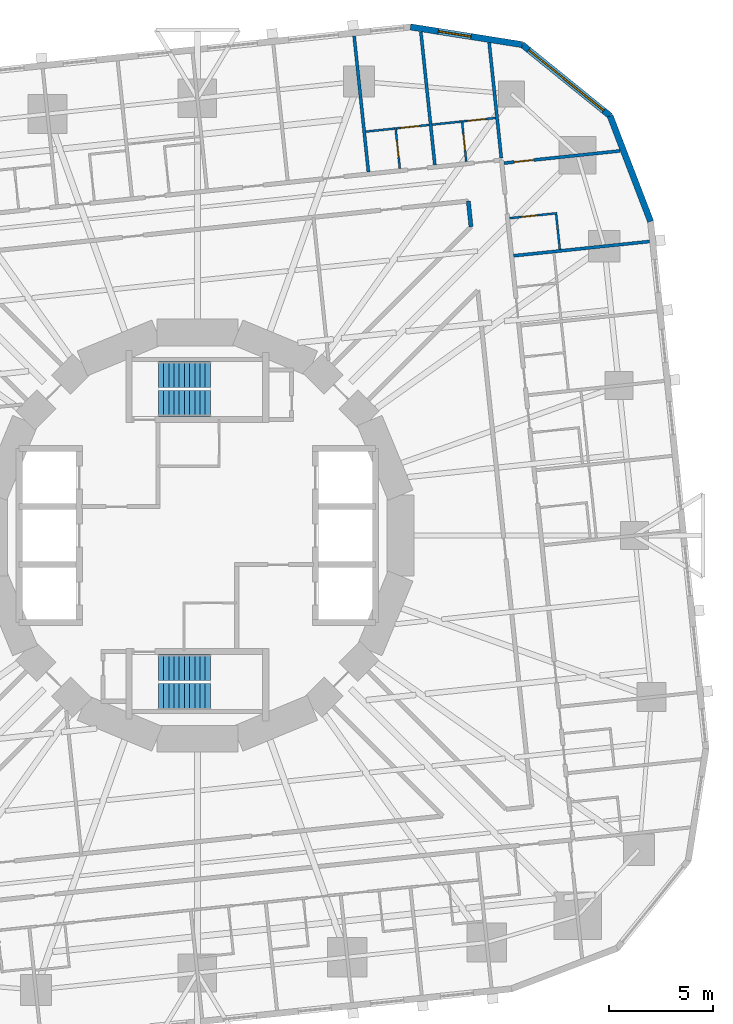
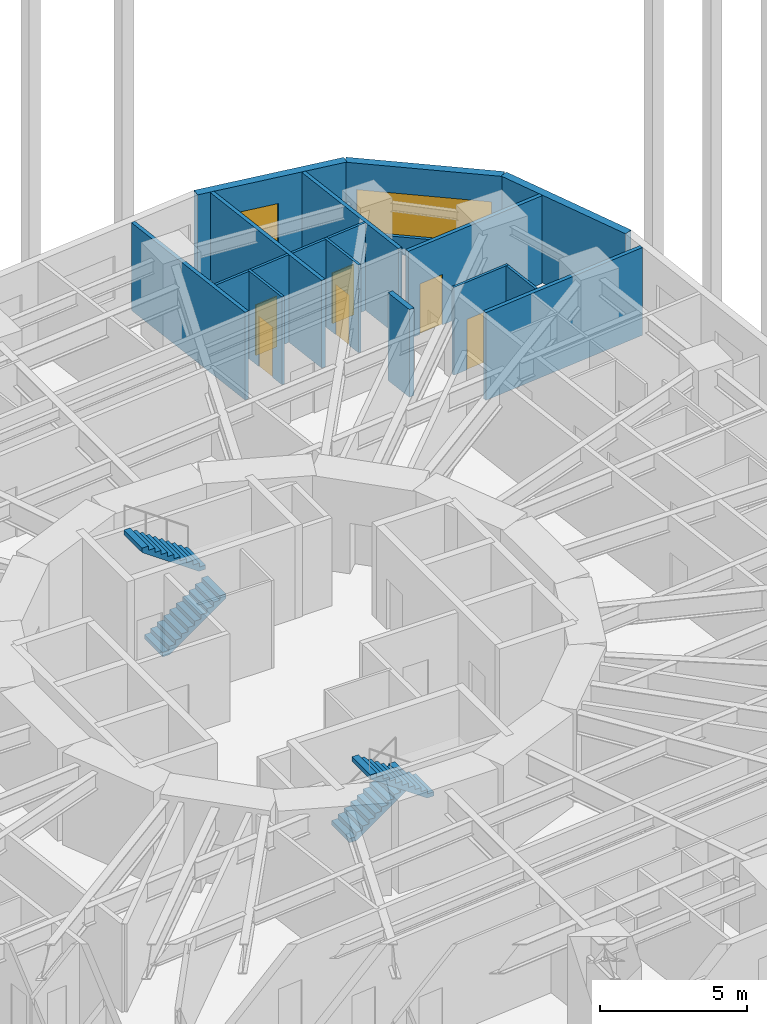
# One storey, part 12 of 13: 17 walls, 6 doors, 4 stair flights, 2 windows, 8 openings, 2 elements without a shape of their own.
"""IFC4 building model written with IfcOpenShell, lengths in metres."""

from ifc_helpers import new_model, si_unit, direction, frame, frame_2d, origin, place, context, subcontext, project, spatial, polyline, rectangle, outline, extrude, material, layer, layer_set, type_object, element, fill, aggregate, save


model = new_model("IFC4")

# Units and contexts
model_context = context("Model", 3, precision=1e-05, world=origin(), true_north=direction((0.0, 1.0)))
body_context = subcontext(model_context, "Body", "Model", "MODEL_VIEW")
ifc_project = project(units=[si_unit("LENGTHUNIT", "METRE"), si_unit("AREAUNIT", "SQUARE_METRE"), si_unit("VOLUMEUNIT", "CUBIC_METRE"), si_unit("PLANEANGLEUNIT", "RADIAN"), si_unit("MASSUNIT", "GRAM", prefix="KILO")], contexts=[model_context])

# Site, building, storey
site_placement = place(None, origin())
site = spatial("IfcSite", under=ifc_project, at=site_placement, CompositionType="ELEMENT")
building_placement = place(site_placement, origin())
building = spatial("IfcBuilding", under=site, at=building_placement, Name="Nakasero Lantern House", CompositionType="ELEMENT")
storey_placement = place(building_placement, frame((0.0, 0.0, 60.5)))
storey = spatial("IfcBuildingStorey", under=building, at=storey_placement, Name="L14", CompositionType="ELEMENT", Elevation=60.5)

# Wall
ifc_material_1 = material(Name="Blockwork", Category="masonry")
ifc_layer_1 = layer(ifc_material_1, 0.199951171875)
ifc_layer_set_1 = layer_set([ifc_layer_1], Name="Corridor wall 200")
wall_type_1 = type_object("IfcWallType", Name="Corridor wall 200", PredefinedType="PARTITIONING", material=ifc_layer_set_1)
wall_1_placement = place(storey_placement, frame((13.2138671875, 14.910888671875, 0.0), z_axis=(0.0, 0.0, 1.0), x_axis=(-0.104522368483, 0.994522535937, 0.0)))
element("IfcWall", 1, at=wall_1_placement, inside=storey, type_object=wall_type_1, Name="Corridor wall L14 IW0-1", PredefinedType="PARTITIONING", context=body_context, shape_type="SweptSolid", body=[
    extrude(rectangle(XDim=1.251953125, YDim=0.199951171875, at=frame_2d((0.6259765625, 0.0))), origin(), (0.0, 0.0, 1.0), 3.64990234375),
])

# Wall, opening, door
ifc_material_2 = material(Name="Blockwork", Category="masonry")
ifc_layer_2 = layer(ifc_material_2, 0.10009765625)
ifc_layer_set_2 = layer_set([ifc_layer_2], Name="En-suite wall 100")
wall_type_2 = type_object("IfcWallType", Name="En-suite wall 100", PredefinedType="PARTITIONING", material=ifc_layer_set_2)
wall_2_placement = place(storey_placement, frame((15.08056640625, 15.326416015625, 0.0), z_axis=(0.0, 0.0, 1.0), x_axis=(0.994518822602, 0.104557694553, 0.0)))
wall_2 = element("IfcWall", 2, at=wall_2_placement, inside=storey, type_object=wall_type_2, Name="En-suite wall L14 ES0-08", PredefinedType="PARTITIONING", context=body_context, shape_type="SweptSolid", body=[
    extrude(rectangle(XDim=2.300048828125, YDim=0.10009765625, at=frame_2d((1.14990234375, 0.0))), origin(), (0.0, 0.0, 1.0), 3.64990234375),
])
opening_1_placement = place(wall_2_placement, frame((0.550048828125, 0.0, 0.0)))
opening_1 = element("IfcOpeningElement", 3, at=opening_1_placement, cuts=wall_2, Name="Opening D02", PredefinedType="OPENING", context=body_context, shape_type="SweptSolid", body=[
    extrude(rectangle(XDim=0.800048828125, YDim=2.10009765625, at=frame_2d((0.39990234375, 1.050048828125))), frame((0.0, 0.070068359375, 0.0), z_axis=(0.0, -1.0, 0.0), x_axis=(1.0, 0.0, 0.0)), (0.0, 0.0, 1.0), 0.14013671875),
])
ifc_material_3 = material(Name="Timber C24", Category="wood")
door_type_1 = type_object("IfcDoorType", Name="En-suite door 800", OperationType="SINGLE_SWING_RIGHT", PredefinedType="DOOR", material=ifc_material_3)
door_1_placement = place(opening_1_placement, origin())
door_1 = element("IfcDoor", 4, at=door_1_placement, inside=storey, type_object=door_type_1, Name="Door L14 DE0-08", OperationType="SINGLE_SWING_LEFT", OverallHeight=2.10009765625, OverallWidth=0.800048828125, PredefinedType="DOOR", context=body_context, shape_type="SweptSolid", body=[
    extrude(rectangle(XDim=0.800048828125, YDim=2.10009765625, at=frame_2d((0.39990234375, 1.050048828125))), frame((0.0, 0.02490234375, 0.0), z_axis=(0.0, -1.0, 0.0), x_axis=(1.0, 0.0, 0.0)), (0.0, 0.0, 1.0), 0.050048828125),
])
fill(opening_1, door_1)

# Wall
wall_3_placement = place(storey_placement, frame((17.501220703125, 13.8212890625, 0.0), z_axis=(0.0, 0.0, 1.0), x_axis=(-0.104550220202, 0.994519608382, 0.0)))
element("IfcWall", 5, at=wall_3_placement, inside=storey, type_object=wall_type_2, Name="En-suite wall L14 EE0-08", PredefinedType="PARTITIONING", context=body_context, shape_type="SweptSolid", body=[
    extrude(rectangle(XDim=1.699951171875, YDim=0.10009765625, at=frame_2d((0.85009765625, 0.0))), origin(), (0.0, 0.0, 1.0), 3.64990234375),
])

# Wall, opening, door
wall_4_placement = place(storey_placement, frame((12.9833984375, 18.05615234375, 0.0), z_axis=(0.0, 0.0, 1.0), x_axis=(-0.104494148666, 0.99452550138, 0.0)))
wall_4 = element("IfcWall", 6, at=wall_4_placement, inside=storey, type_object=wall_type_2, Name="En-suite wall L14 ES1-00", PredefinedType="PARTITIONING", context=body_context, shape_type="SweptSolid", body=[
    extrude(rectangle(XDim=2.0, YDim=0.10009765625, at=frame_2d((1.0, 0.0))), origin(), (0.0, 0.0, 1.0), 3.64990234375),
])
opening_2_placement = place(wall_4_placement, frame((0.550048828125, 0.0, 0.0)))
opening_2 = element("IfcOpeningElement", 7, at=opening_2_placement, cuts=wall_4, Name="Opening D02", PredefinedType="OPENING", context=body_context, shape_type="SweptSolid", body=[
    extrude(rectangle(XDim=0.800048828125, YDim=2.10009765625, at=frame_2d((0.39990234375, 1.050048828125))), frame((0.0, 0.070068359375, 0.0), z_axis=(0.0, -1.0, 0.0), x_axis=(1.0, 0.0, 0.0)), (0.0, 0.0, 1.0), 0.14013671875),
])
door_2_placement = place(opening_2_placement, origin())
door_2 = element("IfcDoor", 8, at=door_2_placement, inside=storey, type_object=door_type_1, Name="Door L14 DE1-00", OperationType="SINGLE_SWING_LEFT", OverallHeight=2.10009765625, OverallWidth=0.800048828125, PredefinedType="DOOR", context=body_context, shape_type="SweptSolid", body=[
    extrude(rectangle(XDim=0.800048828125, YDim=2.10009765625, at=frame_2d((0.39990234375, 1.050048828125))), frame((0.0, 0.02490234375, 0.0), z_axis=(0.0, -1.0, 0.0), x_axis=(1.0, 0.0, 0.0)), (0.0, 0.0, 1.0), 0.050048828125),
])
fill(opening_2, door_2)

# Wall
wall_5_placement = place(storey_placement, frame((12.72998046875, 19.990234375, 0.0), z_axis=(0.0, 0.0, 1.0), x_axis=(-0.994511184598, -0.104630319263, 0.0)))
element("IfcWall", 9, at=wall_5_placement, inside=storey, type_object=wall_type_2, Name="En-suite wall L14 EE1-00", PredefinedType="PARTITIONING", context=body_context, shape_type="SweptSolid", body=[
    extrude(rectangle(XDim=1.39990234375, YDim=0.10009765625, at=frame_2d((0.699951171875, 0.0))), origin(), (0.0, 0.0, 1.0), 3.64990234375),
])

# Wall, opening, door
wall_6_placement = place(storey_placement, frame((9.77587890625, 17.718994140625, 0.0), z_axis=(0.0, 0.0, 1.0), x_axis=(-0.104614886044, 0.994512808172, 0.0)))
wall_6 = element("IfcWall", 10, at=wall_6_placement, inside=storey, type_object=wall_type_2, Name="En-suite wall L14 ES1-01", PredefinedType="PARTITIONING", context=body_context, shape_type="SweptSolid", body=[
    extrude(rectangle(XDim=2.0, YDim=0.10009765625, at=frame_2d((1.0, 0.0))), origin(), (0.0, 0.0, 1.0), 3.64990234375),
])
opening_3_placement = place(wall_6_placement, frame((0.550048828125, 0.0, 0.0)))
opening_3 = element("IfcOpeningElement", 11, at=opening_3_placement, cuts=wall_6, Name="Opening D02", PredefinedType="OPENING", context=body_context, shape_type="SweptSolid", body=[
    extrude(rectangle(XDim=0.800048828125, YDim=2.10009765625, at=frame_2d((0.39990234375, 1.050048828125))), frame((0.0, 0.070068359375, 0.0), z_axis=(0.0, -1.0, 0.0), x_axis=(1.0, 0.0, 0.0)), (0.0, 0.0, 1.0), 0.14013671875),
])
door_3_placement = place(opening_3_placement, origin())
door_3 = element("IfcDoor", 12, at=door_3_placement, inside=storey, type_object=door_type_1, Name="Door L14 DE1-01", OperationType="SINGLE_SWING_LEFT", OverallHeight=2.10009765625, OverallWidth=0.800048828125, PredefinedType="DOOR", context=body_context, shape_type="SweptSolid", body=[
    extrude(rectangle(XDim=0.800048828125, YDim=2.10009765625, at=frame_2d((0.39990234375, 1.050048828125))), frame((0.0, 0.02490234375, 0.0), z_axis=(0.0, -1.0, 0.0), x_axis=(1.0, 0.0, 0.0)), (0.0, 0.0, 1.0), 0.050048828125),
])
fill(opening_3, door_3)

# Wall
wall_7_placement = place(storey_placement, frame((9.522216796875, 19.653076171875, 0.0), z_axis=(0.0, 0.0, 1.0), x_axis=(-0.994511184598, -0.104630319263, 0.0)))
element("IfcWall", 13, at=wall_7_placement, inside=storey, type_object=wall_type_2, Name="En-suite wall L14 EE1-01", PredefinedType="PARTITIONING", context=body_context, shape_type="SweptSolid", body=[
    extrude(rectangle(XDim=1.39990234375, YDim=0.10009765625, at=frame_2d((0.699951171875, 0.0))), origin(), (0.0, 0.0, 1.0), 3.64990234375),
])

# Wall, opening, door
wall_8_placement = place(storey_placement, frame((14.39599609375, 20.165283203125, 0.0), z_axis=(0.0, 0.0, 1.0), x_axis=(-0.99451309317, -0.104612176701, 0.0)))
wall_8 = element("IfcWall", 14, at=wall_8_placement, inside=storey, type_object=wall_type_2, Name="En-suite wall L14 EL1-00", PredefinedType="PARTITIONING", context=body_context, shape_type="SweptSolid", body=[
    extrude(rectangle(XDim=1.5751953125, YDim=0.10009765625, at=frame_2d((0.78759765625, 0.0))), origin(), (0.0, 0.0, 1.0), 3.64990234375),
])
opening_4_placement = place(wall_8_placement, frame((0.475341796875, 0.0, 0.0)))
opening_4 = element("IfcOpeningElement", 15, at=opening_4_placement, cuts=wall_8, Name="Opening D17", PredefinedType="OPENING", context=body_context, shape_type="SweptSolid", body=[
    extrude(rectangle(XDim=0.89990234375, YDim=2.10009765625, at=frame_2d((0.449951171875, 1.050048828125))), frame((0.0, 0.070068359375, 0.0), z_axis=(0.0, -1.0, 0.0), x_axis=(1.0, 0.0, 0.0)), (0.0, 0.0, 1.0), 0.14013671875),
])
ifc_material_4 = material(Name="Timber C24", Category="wood")
door_type_2 = type_object("IfcDoorType", Name="Bedroom door FD30S 900", OperationType="SINGLE_SWING_LEFT", PredefinedType="DOOR", material=ifc_material_4)
door_4_placement = place(opening_4_placement, origin())
door_4 = element("IfcDoor", 16, at=door_4_placement, inside=storey, type_object=door_type_2, Name="Door L14 DL1-00", OperationType="SINGLE_SWING_RIGHT", OverallHeight=2.10009765625, OverallWidth=0.89990234375, PredefinedType="DOOR", context=body_context, shape_type="SweptSolid", body=[
    extrude(rectangle(XDim=0.89990234375, YDim=2.10009765625, at=frame_2d((0.449951171875, 1.050048828125))), frame((0.0, 0.02490234375, 0.0), z_axis=(0.0, -1.0, 0.0), x_axis=(1.0, 0.0, 0.0)), (0.0, 0.0, 1.0), 0.050048828125),
])
fill(opening_4, door_4)

wall_9_placement = place(storey_placement, frame((11.1884765625, 19.828125, 0.0), z_axis=(0.0, 0.0, 1.0), x_axis=(-0.994529205559, -0.104458888039, 0.0)))
wall_9 = element("IfcWall", 17, at=wall_9_placement, inside=storey, type_object=wall_type_2, Name="En-suite wall L14 EL1-01", PredefinedType="PARTITIONING", context=body_context, shape_type="SweptSolid", body=[
    extrude(rectangle(XDim=1.5751953125, YDim=0.10009765625, at=frame_2d((0.78759765625, 0.0))), origin(), (0.0, 0.0, 1.0), 3.64990234375),
])
opening_5_placement = place(wall_9_placement, frame((0.475341796875, 0.0, 0.0)))
opening_5 = element("IfcOpeningElement", 18, at=opening_5_placement, cuts=wall_9, Name="Opening D17", PredefinedType="OPENING", context=body_context, shape_type="SweptSolid", body=[
    extrude(rectangle(XDim=0.89990234375, YDim=2.10009765625, at=frame_2d((0.449951171875, 1.050048828125))), frame((0.0, 0.070068359375, 0.0), z_axis=(0.0, -1.0, 0.0), x_axis=(1.0, 0.0, 0.0)), (0.0, 0.0, 1.0), 0.14013671875),
])
door_5_placement = place(opening_5_placement, origin())
door_5 = element("IfcDoor", 19, at=door_5_placement, inside=storey, type_object=door_type_2, Name="Door L14 DL1-01", OperationType="SINGLE_SWING_RIGHT", OverallHeight=2.10009765625, OverallWidth=0.89990234375, PredefinedType="DOOR", context=body_context, shape_type="SweptSolid", body=[
    extrude(rectangle(XDim=0.89990234375, YDim=2.10009765625, at=frame_2d((0.449951171875, 1.050048828125))), frame((0.0, 0.02490234375, 0.0), z_axis=(0.0, -1.0, 0.0), x_axis=(1.0, 0.0, 0.0)), (0.0, 0.0, 1.0), 0.050048828125),
])
fill(opening_5, door_5)

# Wall
ifc_material_5 = material(Name="Aluminium rainscreen on blockwork", Category="masonry")
ifc_layer_3 = layer(ifc_material_5, 0.300048828125)
ifc_layer_set_3 = layer_set([ifc_layer_3], Name="Facade wall 300")
wall_type_3 = type_object("IfcWallType", Name="Facade wall 300", PredefinedType="SOLIDWALL", material=ifc_layer_set_3)
wall_10_placement = place(storey_placement, frame((21.884033203125, 15.170654296875, 0.0), z_axis=(0.0, 0.0, 1.0), x_axis=(-0.358358884793, 0.933583906079, 0.0)))
element("IfcWall", 20, at=wall_10_placement, inside=storey, type_object=wall_type_3, Name="Facade wall L14 FW0C1", PredefinedType="SOLIDWALL", context=body_context, shape_type="SweptSolid", body=[
    extrude(rectangle(XDim=5.461181640625, YDim=0.300048828125, at=frame_2d((2.73046875, 0.0))), origin(), (0.0, 0.0, 1.0), 3.64990234375),
])

# Wall, opening, window
wall_11_placement = place(storey_placement, frame((19.927001953125, 20.26904296875, 0.0), z_axis=(0.0, 0.0, 1.0), x_axis=(-0.777134500863, 0.629334543442, 0.0)))
wall_11 = element("IfcWall", 21, at=wall_11_placement, inside=storey, type_object=wall_type_3, Name="Facade wall L14 FW0C2", PredefinedType="SOLIDWALL", context=body_context, shape_type="SweptSolid", body=[
    extrude(rectangle(XDim=5.4609375, YDim=0.300048828125, at=frame_2d((2.73046875, 0.0))), origin(), (0.0, 0.0, 1.0), 3.64990234375),
])
opening_6_placement = place(wall_11_placement, frame((0.39990234375, 0.0, 0.75)))
opening_6 = element("IfcOpeningElement", 22, at=opening_6_placement, cuts=wall_11, Name="Opening W246", PredefinedType="OPENING", context=body_context, shape_type="SweptSolid", body=[
    extrude(rectangle(XDim=4.660888671875, YDim=1.800048828125, at=frame_2d((2.33056640625, 0.89990234375))), frame((0.0, 0.169921875, 0.0), z_axis=(0.0, -1.0, 0.0), x_axis=(1.0, 0.0, 0.0)), (0.0, 0.0, 1.0), 0.340087890625),
])
ifc_material_6 = material(Name="Aluminium 6063-T6 and glass", Category="aluminium")
window_type_1 = type_object("IfcWindowType", Name="Corner window 4661x1800", PartitioningType="SINGLE_PANEL", PredefinedType="WINDOW", material=ifc_material_6)
window_1_placement = place(opening_6_placement, origin())
window_1 = element("IfcWindow", 23, at=window_1_placement, inside=storey, type_object=window_type_1, Name="Window L14 WC0", OverallHeight=1.800048828125, OverallWidth=4.660888671875, PartitioningType="SINGLE_PANEL", PredefinedType="WINDOW", context=body_context, shape_type="SweptSolid", body=[
    extrude(rectangle(XDim=4.660888671875, YDim=1.800048828125, at=frame_2d((2.33056640625, 0.89990234375))), frame((0.0, 0.030029296875, 0.0), z_axis=(0.0, -1.0, 0.0), x_axis=(1.0, 0.0, 0.0)), (0.0, 0.0, 1.0), 0.06005859375),
])
fill(opening_6, window_1)

wall_12_placement = place(storey_placement, frame((15.68310546875, 23.705810546875, 0.0), z_axis=(0.0, 0.0, 1.0), x_axis=(-0.987690729142, 0.156419383601, 0.0)))
wall_12 = element("IfcWall", 24, at=wall_12_placement, inside=storey, type_object=wall_type_3, Name="Facade wall L14 FW0C3", PredefinedType="SOLIDWALL", context=body_context, shape_type="SweptSolid", body=[
    extrude(rectangle(XDim=5.461181640625, YDim=0.300048828125, at=frame_2d((2.73046875, 0.0))), origin(), (0.0, 0.0, 1.0), 3.64990234375),
])
opening_7_placement = place(wall_12_placement, frame((2.5, 0.0, 0.75)))
opening_7 = element("IfcOpeningElement", 25, at=opening_7_placement, cuts=wall_12, Name="Opening W01", PredefinedType="OPENING", context=body_context, shape_type="SweptSolid", body=[
    extrude(rectangle(XDim=1.60009765625, YDim=1.800048828125, at=frame_2d((0.800048828125, 0.89990234375))), frame((0.0, 0.169921875, 0.0), z_axis=(0.0, -1.0, 0.0), x_axis=(1.0, 0.0, 0.0)), (0.0, 0.0, 1.0), 0.340087890625),
])
ifc_material_7 = material(Name="Aluminium 6063-T6 and glass", Category="aluminium")
window_type_2 = type_object("IfcWindowType", Name="Bedroom window 1600x1800", PartitioningType="SINGLE_PANEL", PredefinedType="WINDOW", material=ifc_material_7)
window_2_placement = place(opening_7_placement, origin())
window_2 = element("IfcWindow", 26, at=window_2_placement, inside=storey, type_object=window_type_2, Name="Window L14 WN1-00", OverallHeight=1.800048828125, OverallWidth=1.60009765625, PartitioningType="SINGLE_PANEL", PredefinedType="WINDOW", context=body_context, shape_type="SweptSolid", body=[
    extrude(rectangle(XDim=1.60009765625, YDim=1.800048828125, at=frame_2d((0.800048828125, 0.89990234375))), frame((0.0, 0.030029296875, 0.0), z_axis=(0.0, -1.0, 0.0), x_axis=(1.0, 0.0, 0.0)), (0.0, 0.0, 1.0), 0.06005859375),
])
fill(opening_7, window_2)

# Wall
ifc_material_8 = material(Name="Blockwork", Category="masonry")
ifc_layer_4 = layer(ifc_material_8, 0.14990234375)
ifc_layer_set_4 = layer_set([ifc_layer_4], Name="Party wall 150")
wall_type_4 = type_object("IfcWallType", Name="Party wall 150", PredefinedType="PARTITIONING", material=ifc_layer_set_4)
wall_13_placement = place(storey_placement, frame((15.271240234375, 13.511474609375, 0.0), z_axis=(0.0, 0.0, 1.0), x_axis=(0.994521251134, 0.104534592565, 0.0)))
element("IfcWall", 27, at=wall_13_placement, inside=storey, type_object=wall_type_4, Name="Party wall L14 PW0-08", PredefinedType="PARTITIONING", context=body_context, shape_type="SweptSolid", body=[
    extrude(rectangle(XDim=6.60009765625, YDim=0.14990234375, at=frame_2d((3.300048828125, 0.0))), origin(), (0.0, 0.0, 1.0), 3.64990234375),
])

# Wall, opening, door
wall_14_placement = place(storey_placement, frame((14.801025390625, 17.9853515625, 0.0), z_axis=(0.0, 0.0, 1.0), x_axis=(0.994522751177, 0.104520320471, 0.0)))
wall_14 = element("IfcWall", 28, at=wall_14_placement, inside=storey, type_object=wall_type_4, Name="Party wall L14 PC0", PredefinedType="PARTITIONING", context=body_context, shape_type="SweptSolid", body=[
    extrude(rectangle(XDim=5.64111328125, YDim=0.14990234375, at=frame_2d((2.820556640625, 0.0))), origin(), (0.0, 0.0, 1.0), 3.64990234375),
])
opening_8_placement = place(wall_14_placement, frame((0.5, 0.0, 0.0)))
opening_8 = element("IfcOpeningElement", 29, at=opening_8_placement, cuts=wall_14, Name="Opening D01", PredefinedType="OPENING", context=body_context, shape_type="SweptSolid", body=[
    extrude(rectangle(XDim=0.949951171875, YDim=2.10009765625, at=frame_2d((0.47509765625, 1.050048828125))), frame((0.0, 0.094970703125, 0.0), z_axis=(0.0, -1.0, 0.0), x_axis=(1.0, 0.0, 0.0)), (0.0, 0.0, 1.0), 0.18994140625),
])
ifc_material_9 = material(Name="Timber C24", Category="wood")
door_type_3 = type_object("IfcDoorType", Name="Bedroom door FD30S 950", OperationType="SINGLE_SWING_LEFT", PredefinedType="DOOR", material=ifc_material_9)
door_6_placement = place(opening_8_placement, origin())
door_6 = element("IfcDoor", 30, at=door_6_placement, inside=storey, type_object=door_type_3, Name="Door L14 DC0", OperationType="SINGLE_SWING_LEFT", OverallHeight=2.10009765625, OverallWidth=0.949951171875, PredefinedType="DOOR", context=body_context, shape_type="SweptSolid", body=[
    extrude(rectangle(XDim=0.949951171875, YDim=2.10009765625, at=frame_2d((0.47509765625, 1.050048828125))), frame((0.0, 0.02490234375, 0.0), z_axis=(0.0, -1.0, 0.0), x_axis=(1.0, 0.0, 0.0)), (0.0, 0.0, 1.0), 0.050048828125),
])
fill(opening_8, door_6)

# Walls
wall_15_placement = place(storey_placement, frame((14.674560546875, 18.23388671875, 0.0), z_axis=(0.0, 0.0, 1.0), x_axis=(-0.104541754786, 0.994520498284, 0.0)))
element("IfcWall", 31, at=wall_15_placement, inside=storey, type_object=wall_type_4, Name="Party wall L14 PW1-00", PredefinedType="PARTITIONING", context=body_context, shape_type="SweptSolid", body=[
    extrude(rectangle(XDim=5.597900390625, YDim=0.14990234375, at=frame_2d((2.798828125, 0.0))), origin(), (0.0, 0.0, 1.0), 3.64990234375),
])
wall_16_placement = place(storey_placement, frame((11.466796875, 17.896728515625, 0.0), z_axis=(0.0, 0.0, 1.0), x_axis=(-0.10453728607, 0.994520968015, 0.0)))
element("IfcWall", 32, at=wall_16_placement, inside=storey, type_object=wall_type_4, Name="Party wall L14 PW1-01", PredefinedType="PARTITIONING", context=body_context, shape_type="SweptSolid", body=[
    extrude(rectangle(XDim=6.462158203125, YDim=0.14990234375, at=frame_2d((3.23095703125, 0.0))), origin(), (0.0, 0.0, 1.0), 3.64990234375),
])
wall_17_placement = place(storey_placement, frame((8.25927734375, 17.5595703125, 0.0), z_axis=(0.0, 0.0, 1.0), x_axis=(-0.104538438287, 0.994520846901, 0.0)))
element("IfcWall", 33, at=wall_17_placement, inside=storey, type_object=wall_type_4, Name="Party wall L14 PW1-02", PredefinedType="PARTITIONING", context=body_context, shape_type="SweptSolid", body=[
    extrude(rectangle(XDim=6.599853515625, YDim=0.14990234375, at=frame_2d((3.2998046875, 0.0))), origin(), (0.0, 0.0, 1.0), 3.64990234375),
])

# Stair, stair flights
ifc_material_10 = material(Name="Concrete C40/50", Category="concrete")
stair_type_1 = type_object("IfcStairType", Name="Escape stair ST1 22 risers", PredefinedType="HALF_TURN_STAIR", material=ifc_material_10)
stair_1_placement = place(storey_placement, origin())
stair_1 = element("IfcStair", 34, at=stair_1_placement, inside=storey, type_object=stair_type_1, Name="Escape stair ST1 L14", PredefinedType="HALF_TURN_STAIR")
ifc_material_11 = material(Name="Concrete C40/50", Category="concrete")
stair_flight_type = type_object("IfcStairFlightType", Name="Escape stair flight", PredefinedType="STRAIGHT", material=ifc_material_11)
stair_flight_1_placement = place(storey_placement, frame((-1.875, 6.375, 0.0), z_axis=(0.0, 0.0, 1.0), x_axis=(1.0, 0.0, 0.0)))
stair_flight_1 = element("IfcStairFlight", 35, at=stair_flight_1_placement, type_object=stair_flight_type, Name="ST1 flight 1", NumberOfRisers=11, NumberOfTreads=10, PredefinedType="STRAIGHT", RiserHeight=0.175, TreadLength=0.25, context=body_context, shape_type="SweptSolid", body=[
    extrude(outline(polyline([(0.0, 0.0), (0.0, 0.175048828125), (0.25, 0.175048828125), (0.25, 0.35009765625), (0.5, 0.35009765625), (0.5, 0.52490234375), (0.75, 0.52490234375), (0.75, 0.699951171875), (1.0, 0.699951171875), (1.0, 0.875), (1.25, 0.875), (1.25, 1.050048828125), (1.5, 1.050048828125), (1.5, 1.22509765625), (1.75, 1.22509765625), (1.75, 1.39990234375), (2.0, 1.39990234375), (2.0, 1.574951171875), (2.25, 1.574951171875), (2.25, 1.75), (2.5, 1.75), (2.5, 1.925048828125), (2.5, 1.567138671875), (0.261474609375, 0.0), (0.0, 0.0)])), frame((0.0, 0.625, 0.0), z_axis=(0.0, -1.0, 0.0), x_axis=(1.0, 0.0, 0.0)), (0.0, 0.0, 1.0), 1.25),
])
stair_flight_2_placement = place(storey_placement, frame((0.625, 7.77490234375, 1.925048828125), z_axis=(0.0, 0.0, 1.0), x_axis=(-1.0, 0.0, 0.0)))
stair_flight_2 = element("IfcStairFlight", 36, at=stair_flight_2_placement, type_object=stair_flight_type, Name="ST1 flight 2", NumberOfRisers=11, NumberOfTreads=10, PredefinedType="STRAIGHT", RiserHeight=0.175, TreadLength=0.25, context=body_context, shape_type="SweptSolid", body=[
    extrude(outline(polyline([(0.0, 0.0), (0.0, 0.175048828125), (0.25, 0.175048828125), (0.25, 0.35009765625), (0.5, 0.35009765625), (0.5, 0.52490234375), (0.75, 0.52490234375), (0.75, 0.699951171875), (1.0, 0.699951171875), (1.0, 0.875), (1.25, 0.875), (1.25, 1.050048828125), (1.5, 1.050048828125), (1.5, 1.22509765625), (1.75, 1.22509765625), (1.75, 1.39990234375), (2.0, 1.39990234375), (2.0, 1.574951171875), (2.25, 1.574951171875), (2.25, 1.75), (2.5, 1.75), (2.5, 1.925048828125), (2.5, 1.567138671875), (0.261474609375, 0.0), (0.0, 0.0)])), frame((0.0, 0.625, 0.0), z_axis=(0.0, -1.0, 0.0), x_axis=(1.0, 0.0, 0.0)), (0.0, 0.0, 1.0), 1.25),
])
aggregate(stair_1, [stair_flight_1, stair_flight_2])

ifc_material_12 = material(Name="Concrete C40/50", Category="concrete")
stair_type_2 = type_object("IfcStairType", Name="Escape stair ST2 22 risers", PredefinedType="HALF_TURN_STAIR", material=ifc_material_12)
stair_2_placement = place(storey_placement, origin())
stair_2 = element("IfcStair", 37, at=stair_2_placement, inside=storey, type_object=stair_type_2, Name="Escape stair ST2 L14", PredefinedType="HALF_TURN_STAIR")
stair_flight_3_placement = place(storey_placement, frame((-1.875, -6.375, 0.0), z_axis=(0.0, 0.0, 1.0), x_axis=(1.0, 0.0, 0.0)))
stair_flight_3 = element("IfcStairFlight", 38, at=stair_flight_3_placement, type_object=stair_flight_type, Name="ST2 flight 1", NumberOfRisers=11, NumberOfTreads=10, PredefinedType="STRAIGHT", RiserHeight=0.175, TreadLength=0.25, context=body_context, shape_type="SweptSolid", body=[
    extrude(outline(polyline([(0.0, 0.0), (0.0, 0.175048828125), (0.25, 0.175048828125), (0.25, 0.35009765625), (0.5, 0.35009765625), (0.5, 0.52490234375), (0.75, 0.52490234375), (0.75, 0.699951171875), (1.0, 0.699951171875), (1.0, 0.875), (1.25, 0.875), (1.25, 1.050048828125), (1.5, 1.050048828125), (1.5, 1.22509765625), (1.75, 1.22509765625), (1.75, 1.39990234375), (2.0, 1.39990234375), (2.0, 1.574951171875), (2.25, 1.574951171875), (2.25, 1.75), (2.5, 1.75), (2.5, 1.925048828125), (2.5, 1.567138671875), (0.261474609375, 0.0), (0.0, 0.0)])), frame((0.0, 0.625, 0.0), z_axis=(0.0, -1.0, 0.0), x_axis=(1.0, 0.0, 0.0)), (0.0, 0.0, 1.0), 1.25),
])
stair_flight_4_placement = place(storey_placement, frame((0.625, -7.77490234375, 1.925048828125), z_axis=(0.0, 0.0, 1.0), x_axis=(-1.0, 0.0, 0.0)))
stair_flight_4 = element("IfcStairFlight", 39, at=stair_flight_4_placement, type_object=stair_flight_type, Name="ST2 flight 2", NumberOfRisers=11, NumberOfTreads=10, PredefinedType="STRAIGHT", RiserHeight=0.175, TreadLength=0.25, context=body_context, shape_type="SweptSolid", body=[
    extrude(outline(polyline([(0.0, 0.0), (0.0, 0.175048828125), (0.25, 0.175048828125), (0.25, 0.35009765625), (0.5, 0.35009765625), (0.5, 0.52490234375), (0.75, 0.52490234375), (0.75, 0.699951171875), (1.0, 0.699951171875), (1.0, 0.875), (1.25, 0.875), (1.25, 1.050048828125), (1.5, 1.050048828125), (1.5, 1.22509765625), (1.75, 1.22509765625), (1.75, 1.39990234375), (2.0, 1.39990234375), (2.0, 1.574951171875), (2.25, 1.574951171875), (2.25, 1.75), (2.5, 1.75), (2.5, 1.925048828125), (2.5, 1.567138671875), (0.261474609375, 0.0), (0.0, 0.0)])), frame((0.0, 0.625, 0.0), z_axis=(0.0, -1.0, 0.0), x_axis=(1.0, 0.0, 0.0)), (0.0, 0.0, 1.0), 1.25),
])
aggregate(stair_2, [stair_flight_3, stair_flight_4])

save(model, "model.ifc")
